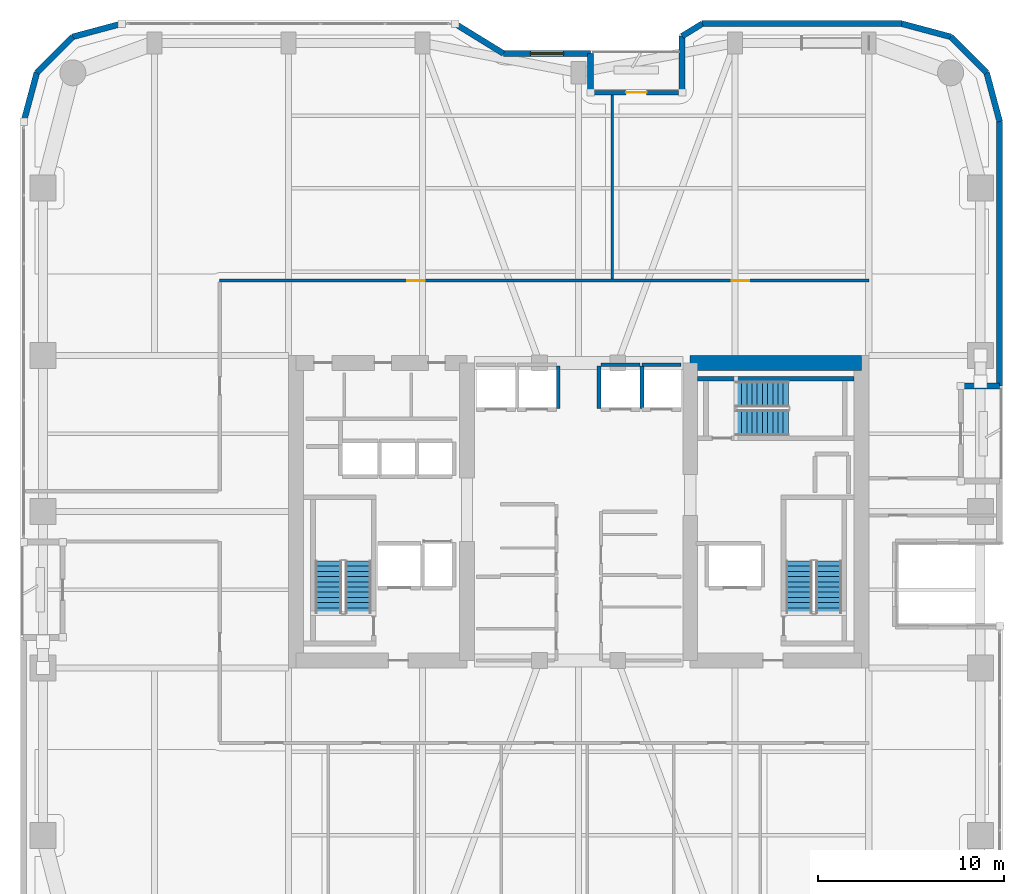
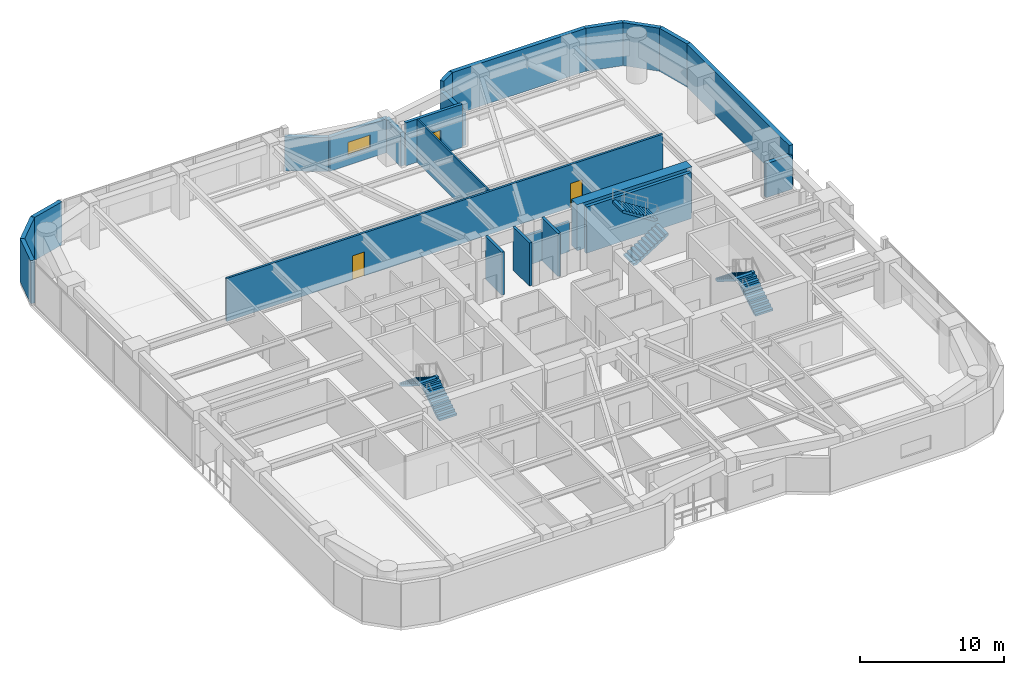
# One storey, part 21 of 24: 24 walls, 6 stair flights, 3 doors, 1 window, 4 openings, 3 elements without a shape of their own.
"""IFC4 building model written with IfcOpenShell, lengths in metres."""

import ifcopenshell
import ifcopenshell.guid

model = None  # the IFC model being written
_history = None  # IfcOwnerHistory: only IFC2X3 demands one
_inside = {}  # id of a spatial element -> (the spatial element, [elements in it])
_under = {}  # id of a project, library or spatial element -> (it, [spatial elements below it])
_declared = {}  # id of a project -> (the project, [libraries it declares])
_typed = {}  # id of a type object -> (the type object, [elements of that type])
_made_of = {}  # id of a material, layer set ... -> (it, [elements and type objects made of it])


def new_model(schema):
    """Start an empty IFC model of exactly this schema.

    Asked for "IFC4X3", IfcOpenShell would pick the latest addendum, in which some entities
    have other attributes; the version numbers below select the first issue.
    IFC2X3 requires an IfcOwnerHistory on every rooted entity: one is made here for all.
    """
    global model, _history
    if schema == "IFC4X3":
        model = ifcopenshell.file(schema_version=(4, 3, 0, 0))
    else:
        model = ifcopenshell.file(schema=schema)
    _inside.clear()
    _under.clear()
    _declared.clear()
    _typed.clear()
    _made_of.clear()
    _history = None
    if model.schema == "IFC2X3":
        org = make("IfcOrganization", Name="unknown")
        user = make(
            "IfcPersonAndOrganization",
            ThePerson=make("IfcPerson", FamilyName="unknown"),
            TheOrganization=org,
        )
        app = make(
            "IfcApplication",
            ApplicationDeveloper=org,
            Version="unknown",
            ApplicationFullName="unknown",
            ApplicationIdentifier="unknown",
        )
        _history = make(
            "IfcOwnerHistory",
            OwningUser=user,
            OwningApplication=app,
            ChangeAction="ADDED",
            CreationDate=0,
        )
    return model


def make(cls, **values):
    """One entity of the class cls with the attributes given. An attribute that is None is left unset."""
    return model.create_entity(
        cls, **{name: value for name, value in values.items() if value is not None}
    )


def rooted(cls, **values):
    """An entity with a GlobalId (a new one), such as an element, a storey or a relation."""
    return make(cls, GlobalId=ifcopenshell.guid.new(), OwnerHistory=_history, **values)


def si_unit(unit_type, name, prefix=None):
    """IfcSIUnit, for example si_unit("LENGTHUNIT", "METRE", prefix="MILLI")."""
    return make("IfcSIUnit", UnitType=unit_type, Prefix=prefix, Name=name)


def assignment(units):
    """IfcUnitAssignment: the units of a project."""
    return None if units is None else make("IfcUnitAssignment", Units=units)


def point(xyz):
    """IfcCartesianPoint."""
    return None if xyz is None else make("IfcCartesianPoint", Coordinates=xyz)


def direction(xyz):
    """IfcDirection."""
    return None if xyz is None else make("IfcDirection", DirectionRatios=xyz)


def frame(location, z_axis=None, x_axis=None):
    """IfcAxis2Placement3D, a coordinate frame: its origin and axes. An axis left out is left unset."""
    return make(
        "IfcAxis2Placement3D",
        Location=point(location),
        Axis=direction(z_axis),
        RefDirection=direction(x_axis),
    )


def frame_2d(location, x_axis=None):
    """IfcAxis2Placement2D, a coordinate frame in the plane: its origin and x axis."""
    return make(
        "IfcAxis2Placement2D", Location=point(location), RefDirection=direction(x_axis)
    )


def origin():
    """The frame at (0, 0, 0) with its axes left unset."""
    return frame((0.0, 0.0, 0.0))


def place(relative_to, where):
    """IfcLocalPlacement: puts the frame where relative to a parent placement (None: the world)."""
    return make(
        "IfcLocalPlacement", PlacementRelTo=relative_to, RelativePlacement=where
    )


def context(
    kind, dimensions, precision=None, world=None, true_north=None, identifier=None
):
    """IfcGeometricRepresentationContext, for example the 3D "Model" context."""
    return make(
        "IfcGeometricRepresentationContext",
        ContextIdentifier=identifier,
        ContextType=kind,
        CoordinateSpaceDimension=dimensions,
        Precision=precision,
        WorldCoordinateSystem=world,
        TrueNorth=true_north,
    )


def subcontext(parent, identifier, kind, view, scale=None):
    """IfcGeometricRepresentationSubContext, for example "Body" below "Model"."""
    return make(
        "IfcGeometricRepresentationSubContext",
        ContextIdentifier=identifier,
        ContextType=kind,
        ParentContext=parent,
        TargetScale=scale,
        TargetView=view,
    )


def project(units=None, contexts=None):
    """IfcProject with its units and contexts."""
    return rooted(
        "IfcProject",
        Name="project",
        RepresentationContexts=contexts,
        UnitsInContext=assignment(units),
    )


def spatial(cls, under=None, at=None, **own):
    """A site, building, storey or space (cls), placed at a placement, below another one or the project."""
    s = rooted(cls, ObjectPlacement=at, **own)
    if under is not None:
        _under.setdefault(under.id(), (under, []))[1].append(s)
    return s


def polyline(points):
    """IfcPolyline through the points."""
    return make("IfcPolyline", Points=[point(p) for p in points])


def profile(cls, at=None, kind="AREA", **sizes):
    """A parametric profile (cls). Its sizes go by their IFC names, for example OverallWidth=200.0."""
    return make(cls, ProfileType=kind, Position=at, **sizes)


def rectangle(**sizes):
    """IfcRectangleProfileDef."""
    return profile("IfcRectangleProfileDef", **sizes)


def outline(outer, holes=None, kind="AREA"):
    """IfcArbitraryClosedProfileDef: a profile drawn as a closed curve; with holes, ...WithVoids."""
    if holes is None:
        return make("IfcArbitraryClosedProfileDef", ProfileType=kind, OuterCurve=outer)
    return make(
        "IfcArbitraryProfileDefWithVoids",
        ProfileType=kind,
        OuterCurve=outer,
        InnerCurves=holes,
    )


def extrude(swept, where, along, depth):
    """IfcExtrudedAreaSolid: the profile swept, set in the frame where, extruded along a direction by depth."""
    return make(
        "IfcExtrudedAreaSolid",
        SweptArea=swept,
        Position=where,
        ExtrudedDirection=direction(along),
        Depth=depth,
    )


def shape(context_of_items, identifier, shape_type, items):
    """IfcShapeRepresentation: the items that make up one representation, for example the "Body"."""
    return make(
        "IfcShapeRepresentation",
        ContextOfItems=context_of_items,
        RepresentationIdentifier=identifier,
        RepresentationType=shape_type,
        Items=items,
    )


def material(Name=None, Category=None):
    """IfcMaterial."""
    return make("IfcMaterial", Name=Name, Category=Category)


def layer(
    of_material, thickness, ventilated=None, Name=None, Category=None, Priority=None
):
    """IfcMaterialLayer: one layer of a wall or slab, of a material (None: an air gap)."""
    return make(
        "IfcMaterialLayer",
        Material=of_material,
        LayerThickness=thickness,
        IsVentilated=ventilated,
        Name=Name,
        Category=Category,
        Priority=Priority,
    )


def layer_set(layers, Name=None):
    """IfcMaterialLayerSet."""
    return make("IfcMaterialLayerSet", MaterialLayers=layers, LayerSetName=Name)


def made_of(thing, what):
    """Note that an element or type object is made of a material, layer set ...; save() writes the relation."""
    if what is not None:
        _made_of.setdefault(what.id(), (what, []))[1].append(thing)
    return thing


def type_object(cls, material=None, **own):
    """A type object (cls), such as IfcWallType, which elements share."""
    return made_of(rooted(cls, **own), material)


def element(
    cls,
    number,
    at=None,
    inside=None,
    cuts=None,
    type_object=None,
    material=None,
    context=None,
    identifier="Body",
    shape_type=None,
    held_by="IfcProductDefinitionShape",
    body=None,
    shapes=None,
    **own,
):
    """One element of the class cls, such as IfcWall. Its Tag is "e" and its number.

    at: its placement. inside: the storey or other place that contains it. cuts: it is an
    opening in that element (IfcRelVoidsElement). A single representation is given by context,
    identifier, shape_type and body (its items); several are given by shapes. held_by: the class
    of the entity that holds the representations. save() writes the other relations.
    """
    e = rooted(cls, Tag="e%d" % number, ObjectPlacement=at, **own)
    if body is not None:
        shapes = [shape(context, identifier, shape_type, body)]
    if shapes is not None:
        e.Representation = make(held_by, Representations=shapes)
    if inside is not None:
        _inside.setdefault(inside.id(), (inside, []))[1].append(e)
    if cuts is not None:
        rooted(
            "IfcRelVoidsElement", RelatingBuildingElement=cuts, RelatedOpeningElement=e
        )
    if type_object is not None:
        _typed.setdefault(type_object.id(), (type_object, []))[1].append(e)
    return made_of(e, material)


def fill(opening, filler):
    """IfcRelFillsElement: the door or window that sits in an opening."""
    return rooted(
        "IfcRelFillsElement",
        RelatingOpeningElement=opening,
        RelatedBuildingElement=filler,
    )


def aggregate(whole, parts):
    """IfcRelAggregates: a whole, such as a stair, and the parts it consists of."""
    return rooted("IfcRelAggregates", RelatingObject=whole, RelatedObjects=parts)


def save(model, path):
    """Write the relations noted so far, then the file.

    IfcRelAggregates (storeys below a building ...), IfcRelContainedInSpatialStructure (elements
    in a storey), IfcRelDefinesByType, IfcRelAssociatesMaterial and IfcRelDeclares: one each for
    every whole, place, type object, material and project.
    """
    for whole, parts in _under.values():
        aggregate(whole, parts)
    for where, things in _inside.values():
        rooted(
            "IfcRelContainedInSpatialStructure",
            RelatedElements=things,
            RelatingStructure=where,
        )
    for kind, things in _typed.values():
        rooted("IfcRelDefinesByType", RelatedObjects=things, RelatingType=kind)
    for what, things in _made_of.values():
        rooted("IfcRelAssociatesMaterial", RelatedObjects=things, RelatingMaterial=what)
    for by, libraries in _declared.values():
        rooted("IfcRelDeclares", RelatingContext=by, RelatedDefinitions=libraries)
    model.write(path)


model = new_model("IFC4")

# Units and contexts
model_context = context("Model", 3, precision=1e-05, world=origin(), true_north=direction((0.0, 1.0)))
body_context = subcontext(model_context, "Body", "Model", "MODEL_VIEW")
ifc_project = project(units=[si_unit("LENGTHUNIT", "METRE"), si_unit("AREAUNIT", "SQUARE_METRE"), si_unit("VOLUMEUNIT", "CUBIC_METRE"), si_unit("PLANEANGLEUNIT", "RADIAN"), si_unit("MASSUNIT", "GRAM", prefix="KILO")], contexts=[model_context])

# Site, building, storey
site_placement = place(None, origin())
site = spatial("IfcSite", under=ifc_project, at=site_placement, CompositionType="ELEMENT")
building_placement = place(site_placement, origin())
building = spatial("IfcBuilding", under=site, at=building_placement, Name="Kiyonajd Concourse Tower", CompositionType="ELEMENT")
storey_placement = place(building_placement, frame((0.0, 0.0, 129.89990234375)))
storey = spatial("IfcBuildingStorey", under=building, at=storey_placement, Name="L33", CompositionType="ELEMENT", Elevation=129.89990234375)

# Walls
ifc_material_1 = material(Name="Concrete C70/85", Category="concrete")
ifc_layer_1 = layer(ifc_material_1, 0.800048828125)
ifc_layer_set_1 = layer_set([ifc_layer_1], Name="Concrete C70/85")
wall_type_1 = type_object("IfcWallType", Name="WL-CORE-800", PredefinedType="SHEAR", material=ifc_layer_set_1)
wall_1_placement = place(storey_placement, frame((54.0, 44.0, 0.0), z_axis=(0.0, 0.0, 1.0), x_axis=(1.0, 0.0, 0.0)))
element("IfcWall", 1, at=wall_1_placement, inside=storey, type_object=wall_type_1, Name="L33 East Core North Shear Wall", PredefinedType="SHEAR", context=body_context, shape_type="SweptSolid", body=[
    extrude(rectangle(XDim=9.199951171875, YDim=0.800048828125, at=frame_2d((4.60009765625, 0.0))), origin(), (0.0, 0.0, 1.0), 3.900146484375),
])
ifc_material_2 = material(Name="Precast concrete C50/60", Category="concrete")
ifc_layer_2 = layer(ifc_material_2, 0.320068359375)
ifc_layer_set_2 = layer_set([ifc_layer_2], Name="Precast concrete C50/60")
wall_type_2 = type_object("IfcWallType", Name="WL-EXT-320", PredefinedType="SOLIDWALL", material=ifc_layer_set_2)
wall_2_placement = place(storey_placement, frame((18.159912109375, 56.97900390625, 0.0), z_axis=(0.0, 0.0, 1.0), x_axis=(0.25869736047, 0.965958423373, 0.0)))
element("IfcWall", 2, at=wall_2_placement, inside=storey, type_object=wall_type_2, Name="L33 Exterior Concrete Frame Wall 05", PredefinedType="SOLIDWALL", context=body_context, shape_type="SweptSolid", body=[
    extrude(rectangle(XDim=2.731201171875, YDim=0.320068359375, at=frame_2d((1.36572265625, 0.0))), origin(), (0.0, 0.0, 1.0), 3.64013671875),
])
wall_3_placement = place(storey_placement, frame((18.866455078125, 59.6171875, 0.0), z_axis=(0.0, 0.0, 1.0), x_axis=(0.707106781187, 0.707106781187, 0.0)))
element("IfcWall", 3, at=wall_3_placement, inside=storey, type_object=wall_type_2, Name="L33 Exterior Concrete Frame Wall 06", PredefinedType="SOLIDWALL", context=body_context, shape_type="SweptSolid", body=[
    extrude(rectangle(XDim=2.7099609375, YDim=0.320068359375, at=frame_2d((1.35498046875, 0.0))), origin(), (0.0, 0.0, 1.0), 3.64013671875),
])
wall_4_placement = place(storey_placement, frame((20.78271484375, 61.533447265625, 0.0), z_axis=(0.0, 0.0, 1.0), x_axis=(0.965964405026, 0.25867502435, 0.0)))
element("IfcWall", 4, at=wall_4_placement, inside=storey, type_object=wall_type_2, Name="L33 Exterior Concrete Frame Wall 07", PredefinedType="SOLIDWALL", context=body_context, shape_type="SweptSolid", body=[
    extrude(rectangle(XDim=2.7314453125, YDim=0.320068359375, at=frame_2d((1.36572265625, 0.0))), origin(), (0.0, 0.0, 1.0), 3.64013671875),
])
wall_5_placement = place(storey_placement, frame((41.354736328125, 62.239990234375, 0.0), z_axis=(0.0, 0.0, 1.0), x_axis=(0.851630857047, -0.524142044989, 0.0)))
element("IfcWall", 5, at=wall_5_placement, inside=storey, type_object=wall_type_2, Name="L33 Exterior Concrete Frame Wall 09", PredefinedType="SOLIDWALL", context=body_context, shape_type="SweptSolid", body=[
    extrude(rectangle(XDim=3.052734375, YDim=0.320068359375, at=frame_2d((1.5263671875, 0.0))), origin(), (0.0, 0.0, 1.0), 2.875),
])

# Wall, opening, window
wall_6_placement = place(storey_placement, frame((43.95458984375, 60.639892578125, 0.0), z_axis=(0.0, 0.0, 1.0), x_axis=(1.0, 0.0, 0.0)))
wall_6 = element("IfcWall", 6, at=wall_6_placement, inside=storey, type_object=wall_type_2, Name="L33 Exterior Concrete Frame Wall 10", PredefinedType="SOLIDWALL", context=body_context, shape_type="SweptSolid", body=[
    extrude(rectangle(XDim=4.685302734375, YDim=0.320068359375, at=frame_2d((2.3427734375, 0.0))), origin(), (0.0, 0.0, 1.0), 2.875),
])
opening_1_placement = place(wall_6_placement, frame((1.443115234375, 0.0, 0.85009765625)))
opening_1 = element("IfcOpeningElement", 7, at=opening_1_placement, cuts=wall_6, Name="Opening WN1", PredefinedType="OPENING", context=body_context, shape_type="SweptSolid", body=[
    extrude(rectangle(XDim=1.800048828125, YDim=1.10009765625, at=frame_2d((0.89990234375, 0.550048828125))), frame((0.0, 0.169921875, 0.0), z_axis=(0.0, -1.0, 0.0), x_axis=(1.0, 0.0, 0.0)), (0.0, 0.0, 1.0), 0.340087890625),
])
ifc_material_3 = material(Name="Double Low-E Insulated Glass", Category="glass")
window_type = type_object("IfcWindowType", Name="WN-VIS-1800x1100", PartitioningType="SINGLE_PANEL", PredefinedType="WINDOW", material=ifc_material_3)
window_placement = place(opening_1_placement, origin())
window = element("IfcWindow", 8, at=window_placement, inside=storey, type_object=window_type, Name="L33 Modular Facade Vision Window 10", OverallHeight=1.10009765625, OverallWidth=1.800048828125, PartitioningType="SINGLE_PANEL", PredefinedType="WINDOW", context=body_context, shape_type="SweptSolid", body=[
    extrude(rectangle(XDim=1.800048828125, YDim=1.10009765625, at=frame_2d((0.89990234375, 0.550048828125))), frame((0.0, 0.030029296875, 0.0), z_axis=(0.0, -1.0, 0.0), x_axis=(1.0, 0.0, 0.0)), (0.0, 0.0, 1.0), 0.06005859375),
])
fill(opening_1, window)

# Walls
wall_7_placement = place(storey_placement, frame((48.639892578125, 60.639892578125, 0.0), z_axis=(0.0, 0.0, 1.0), x_axis=(0.0, -1.0, 0.0)))
element("IfcWall", 9, at=wall_7_placement, inside=storey, type_object=wall_type_2, Name="L33 Exterior Concrete Frame Wall 11", PredefinedType="SOLIDWALL", context=body_context, shape_type="SweptSolid", body=[
    extrude(rectangle(XDim=2.099853515625, YDim=0.320068359375, at=frame_2d((1.0498046875, 0.0))), origin(), (0.0, 0.0, 1.0), 2.875),
])
wall_8_placement = place(storey_placement, frame((53.56005859375, 58.5400390625, 0.0), z_axis=(0.0, 0.0, 1.0), x_axis=(0.0, 1.0, 0.0)))
element("IfcWall", 10, at=wall_8_placement, inside=storey, type_object=wall_type_2, Name="L33 Exterior Concrete Frame Wall 13", PredefinedType="SOLIDWALL", context=body_context, shape_type="SweptSolid", body=[
    extrude(rectangle(XDim=3.032470703125, YDim=0.320068359375, at=frame_2d((1.51611328125, 0.0))), origin(), (0.0, 0.0, 1.0), 2.875),
])
wall_9_placement = place(storey_placement, frame((53.56005859375, 61.572509765625, 0.0), z_axis=(0.0, 0.0, 1.0), x_axis=(0.851776724646, 0.523904964045, 0.0)))
element("IfcWall", 11, at=wall_9_placement, inside=storey, type_object=wall_type_2, Name="L33 Exterior Concrete Frame Wall 14", PredefinedType="SOLIDWALL", context=body_context, shape_type="SweptSolid", body=[
    extrude(rectangle(XDim=1.274169921875, YDim=0.320068359375, at=frame_2d((0.63720703125, 0.0))), origin(), (0.0, 0.0, 1.0), 3.64013671875),
])
wall_10_placement = place(storey_placement, frame((54.645263671875, 62.239990234375, 0.0), z_axis=(0.0, 0.0, 1.0), x_axis=(1.0, 0.0, 0.0)))
element("IfcWall", 12, at=wall_10_placement, inside=storey, type_object=wall_type_2, Name="L33 Exterior Concrete Frame Wall 15", PredefinedType="SOLIDWALL", context=body_context, shape_type="SweptSolid", body=[
    extrude(rectangle(XDim=10.733642578125, YDim=0.320068359375, at=frame_2d((5.36669921875, 0.0))), origin(), (0.0, 0.0, 1.0), 3.64013671875),
])
wall_11_placement = place(storey_placement, frame((65.37890625, 62.239990234375, 0.0), z_axis=(0.0, 0.0, 1.0), x_axis=(0.965958423373, -0.25869736047, 0.0)))
element("IfcWall", 13, at=wall_11_placement, inside=storey, type_object=wall_type_2, Name="L33 Exterior Concrete Frame Wall 16", PredefinedType="SOLIDWALL", context=body_context, shape_type="SweptSolid", body=[
    extrude(rectangle(XDim=2.731201171875, YDim=0.320068359375, at=frame_2d((1.36572265625, 0.0))), origin(), (0.0, 0.0, 1.0), 3.64013671875),
])
wall_12_placement = place(storey_placement, frame((68.01708984375, 61.533447265625, 0.0), z_axis=(0.0, 0.0, 1.0), x_axis=(0.707151821269, -0.707061738235, 0.0)))
element("IfcWall", 14, at=wall_12_placement, inside=storey, type_object=wall_type_2, Name="L33 Exterior Concrete Frame Wall 17", PredefinedType="SOLIDWALL", context=body_context, shape_type="SweptSolid", body=[
    extrude(rectangle(XDim=2.710205078125, YDim=0.320068359375, at=frame_2d((1.35498046875, 0.0))), origin(), (0.0, 0.0, 1.0), 3.64013671875),
])
wall_13_placement = place(storey_placement, frame((69.93359375, 59.6171875, 0.0), z_axis=(0.0, 0.0, 1.0), x_axis=(0.258613949072, -0.965980758269, 0.0)))
element("IfcWall", 15, at=wall_13_placement, inside=storey, type_object=wall_type_2, Name="L33 Exterior Concrete Frame Wall 18", PredefinedType="SOLIDWALL", context=body_context, shape_type="SweptSolid", body=[
    extrude(rectangle(XDim=2.731201171875, YDim=0.320068359375, at=frame_2d((1.36572265625, 0.0))), origin(), (0.0, 0.0, 1.0), 3.64013671875),
])
wall_14_placement = place(storey_placement, frame((70.639892578125, 56.97900390625, 0.0), z_axis=(0.0, 0.0, 1.0), x_axis=(0.0, -1.0, 0.0)))
element("IfcWall", 16, at=wall_14_placement, inside=storey, type_object=wall_type_2, Name="L33 Exterior Concrete Frame Wall 19", PredefinedType="SOLIDWALL", context=body_context, shape_type="SweptSolid", body=[
    extrude(rectangle(XDim=14.218994140625, YDim=0.320068359375, at=frame_2d((7.109375, 0.0))), origin(), (0.0, 0.0, 1.0), 3.64013671875),
])
wall_15_placement = place(storey_placement, frame((70.639892578125, 42.760009765625, 0.0), z_axis=(0.0, 0.0, 1.0), x_axis=(-1.0, 0.0, 0.0)))
element("IfcWall", 17, at=wall_15_placement, inside=storey, type_object=wall_type_2, Name="L33 Exterior Concrete Frame Wall 20", PredefinedType="SOLIDWALL", context=body_context, shape_type="SweptSolid", body=[
    extrude(rectangle(XDim=2.099853515625, YDim=0.320068359375, at=frame_2d((1.0498046875, 0.0))), origin(), (0.0, 0.0, 1.0), 2.875),
])

# Wall, opening, door
ifc_layer_3 = layer(ifc_material_2, 0.239990234375)
ifc_layer_set_3 = layer_set([ifc_layer_3], Name="Precast concrete C50/60")
wall_type_3 = type_object("IfcWallType", Name="WL-LOG-240", PredefinedType="SOLIDWALL", material=ifc_layer_set_3)
wall_16_placement = place(storey_placement, frame((48.8349609375, 58.5400390625, 0.0), z_axis=(0.0, 0.0, 1.0), x_axis=(1.0, 0.0, 0.0)))
wall_16 = element("IfcWall", 18, at=wall_16_placement, inside=storey, type_object=wall_type_3, Name="L33 Recessed Loggia Thermal Wall LOG-N", PredefinedType="SOLIDWALL", context=body_context, shape_type="SweptSolid", body=[
    extrude(rectangle(XDim=4.530029296875, YDim=0.239990234375, at=frame_2d((2.26513671875, 0.0))), origin(), (0.0, 0.0, 1.0), 3.64013671875),
])
opening_2_placement = place(wall_16_placement, frame((1.715087890625, 0.0, 0.0)))
opening_2 = element("IfcOpeningElement", 19, at=opening_2_placement, cuts=wall_16, Name="Opening DL2", PredefinedType="OPENING", context=body_context, shape_type="SweptSolid", body=[
    extrude(rectangle(XDim=1.10009765625, YDim=2.0400390625, at=frame_2d((0.550048828125, 1.02001953125))), frame((0.0, 0.1298828125, 0.0), z_axis=(0.0, -1.0, 0.0), x_axis=(1.0, 0.0, 0.0)), (0.0, 0.0, 1.0), 0.260009765625),
])
ifc_material_4 = material(Name="Thermally Broken Anodised Aluminium", Category="aluminium")
door_type_1 = type_object("IfcDoorType", Name="DR-LOG-1100", OperationType="NOTDEFINED", PredefinedType="DOOR", material=ifc_material_4)
door_1_placement = place(opening_2_placement, origin())
door_1 = element("IfcDoor", 20, at=door_1_placement, inside=storey, type_object=door_type_1, Name="L33 Engawa Loggia Access Door LOG-N", OperationType="SINGLE_SWING_RIGHT", OverallHeight=2.0400390625, OverallWidth=1.10009765625, PredefinedType="DOOR", context=body_context, shape_type="SweptSolid", body=[
    extrude(rectangle(XDim=1.10009765625, YDim=2.0400390625, at=frame_2d((0.550048828125, 1.02001953125))), frame((0.0, 0.02490234375, 0.0), z_axis=(0.0, -1.0, 0.0), x_axis=(1.0, 0.0, 0.0)), (0.0, 0.0, 1.0), 0.050048828125),
])
fill(opening_2, door_1)

# Walls
ifc_material_5 = material(Name="Gypsum Board on Cold-Formed Steel Stud", Category="steel")
ifc_layer_4 = layer(ifc_material_5, 0.125)
ifc_layer_set_4 = layer_set([ifc_layer_4], Name="Gypsum Board on Cold-Formed Steel Stud")
wall_type_4 = type_object("IfcWallType", Name="WL-PART-125", PredefinedType="PARTITIONING", material=ifc_layer_set_4)
wall_17_placement = place(storey_placement, frame((49.800048828125, 48.51708984375, 0.0), z_axis=(0.0, 0.0, 1.0), x_axis=(0.0, 1.0, 0.0)))
element("IfcWall", 21, at=wall_17_placement, inside=storey, type_object=wall_type_4, Name="L33 Interior Partition Wall", PredefinedType="PARTITIONING", context=body_context, shape_type="SweptSolid", body=[
    extrude(rectangle(XDim=9.907958984375, YDim=0.125, at=frame_2d((4.9541015625, 0.0))), origin(), (0.0, 0.0, 1.0), 3.64013671875),
])
ifc_layer_5 = layer(ifc_material_5, 0.2099609375)
ifc_layer_set_5 = layer_set([ifc_layer_5], Name="Gypsum Board on Cold-Formed Steel Stud")
wall_type_5 = type_object("IfcWallType", Name="WL-SHAFT-210", PredefinedType="PARTITIONING", material=ifc_layer_set_5)
wall_18_placement = place(storey_placement, frame((46.89990234375, 41.56005859375, 0.0), z_axis=(0.0, 0.0, 1.0), x_axis=(0.0, 1.0, 0.0)))
element("IfcWall", 22, at=wall_18_placement, inside=storey, type_object=wall_type_5, Name="L33 Shaft Enclosure Wall", PredefinedType="PARTITIONING", context=body_context, shape_type="SweptSolid", body=[
    extrude(rectangle(XDim=2.280029296875, YDim=0.2099609375, at=frame_2d((1.14013671875, 0.0))), origin(), (0.0, 0.0, 1.0), 3.64013671875),
])
wall_19_placement = place(storey_placement, frame((49.199951171875, 43.89990234375, 0.0), z_axis=(0.0, 0.0, 1.0), x_axis=(1.0, 0.0, 0.0)))
element("IfcWall", 23, at=wall_19_placement, inside=storey, type_object=wall_type_5, Name="L33 Shaft Enclosure Wall", PredefinedType="PARTITIONING", context=body_context, shape_type="SweptSolid", body=[
    extrude(rectangle(XDim=2.10009765625, YDim=0.2099609375, at=frame_2d((1.050048828125, 0.0))), origin(), (0.0, 0.0, 1.0), 2.525146484375),
])
for number, where, z_axis, x_axis, name in (
    (24, (49.10009765625, 41.56005859375, 0.0), (0.0, 0.0, 1.0), (0.0, 1.0, 0.0), "L33 Shaft Enclosure Wall"),
    (25, (51.39990234375, 41.56005859375, 0.0), (0.0, 0.0, 1.0), (0.0, 1.0, 0.0), "L33 Shaft Enclosure Wall"),
):
    element("IfcWall", number, at=place(storey_placement, frame(where, z_axis=z_axis, x_axis=x_axis)), inside=storey, type_object=wall_type_5, Name=name, PredefinedType="PARTITIONING", context=body_context, shape_type="SweptSolid", body=[
        extrude(rectangle(XDim=2.280029296875, YDim=0.2099609375, at=frame_2d((1.14013671875, 0.0))), origin(), (0.0, 0.0, 1.0), 3.64013671875),
    ])
wall_20_placement = place(storey_placement, frame((51.39990234375, 43.89990234375, 0.0), z_axis=(0.0, 0.0, 1.0), x_axis=(1.0, 0.0, 0.0)))
element("IfcWall", 26, at=wall_20_placement, inside=storey, type_object=wall_type_5, Name="L33 Shaft Enclosure Wall", PredefinedType="PARTITIONING", context=body_context, shape_type="SweptSolid", body=[
    extrude(rectangle(XDim=2.10009765625, YDim=0.2099609375, at=frame_2d((1.050048828125, 0.0))), origin(), (0.0, 0.0, 1.0), 2.525146484375),
])

# Wall, openings, doors
ifc_layer_6 = layer(ifc_material_5, 0.169921875)
ifc_layer_set_6 = layer_set([ifc_layer_6], Name="Gypsum Board on Cold-Formed Steel Stud")
wall_type_6 = type_object("IfcWallType", Name="WL-SMK-170", PredefinedType="PARTITIONING", material=ifc_layer_set_6)
wall_21_placement = place(storey_placement, frame((28.699951171875, 48.429931640625, 0.0), z_axis=(0.0, 0.0, 1.0), x_axis=(1.0, 0.0, 0.0)))
wall_21 = element("IfcWall", 27, at=wall_21_placement, inside=storey, type_object=wall_type_6, Name="L33 Interior Partition Wall", PredefinedType="PARTITIONING", context=body_context, shape_type="SweptSolid", body=[
    extrude(rectangle(XDim=34.900146484375, YDim=0.169921875, at=frame_2d((17.4501953125, 0.0))), origin(), (0.0, 0.0, 1.0), 3.64013671875),
])
opening_3_placement = place(wall_21_placement, frame((10.074951171875, 0.0, 0.0)))
opening_3 = element("IfcOpeningElement", 28, at=opening_3_placement, cuts=wall_21, Name="Opening DI1", PredefinedType="OPENING", context=body_context, shape_type="SweptSolid", body=[
    extrude(rectangle(XDim=0.949951171875, YDim=2.0400390625, at=frame_2d((0.47509765625, 1.02001953125))), frame((0.0, 0.094970703125, 0.0), z_axis=(0.0, -1.0, 0.0), x_axis=(1.0, 0.0, 0.0)), (0.0, 0.0, 1.0), 0.18994140625),
])
opening_4_placement = place(wall_21_placement, frame((27.52490234375, 0.0, 0.0)))
opening_4 = element("IfcOpeningElement", 29, at=opening_4_placement, cuts=wall_21, Name="Opening DI1", PredefinedType="OPENING", context=body_context, shape_type="SweptSolid", body=[
    extrude(rectangle(XDim=0.949951171875, YDim=2.0400390625, at=frame_2d((0.47509765625, 1.02001953125))), frame((0.0, 0.094970703125, 0.0), z_axis=(0.0, -1.0, 0.0), x_axis=(1.0, 0.0, 0.0)), (0.0, 0.0, 1.0), 0.18994140625),
])
ifc_material_6 = material(Name="Natural Oak Acoustic Timber Veneer", Category="wood")
door_type_2 = type_object("IfcDoorType", Name="DR-INT-950", OperationType="NOTDEFINED", PredefinedType="DOOR", material=ifc_material_6)
door_2_placement = place(opening_3_placement, origin())
door_2 = element("IfcDoor", 30, at=door_2_placement, inside=storey, type_object=door_type_2, Name="L33 Interior Door", OperationType="SINGLE_SWING_RIGHT", OverallHeight=2.0400390625, OverallWidth=0.949951171875, PredefinedType="DOOR", context=body_context, shape_type="SweptSolid", body=[
    extrude(rectangle(XDim=0.949951171875, YDim=2.0400390625, at=frame_2d((0.47509765625, 1.02001953125))), frame((0.0, 0.02490234375, 0.0), z_axis=(0.0, -1.0, 0.0), x_axis=(1.0, 0.0, 0.0)), (0.0, 0.0, 1.0), 0.050048828125),
])
fill(opening_3, door_2)
door_3_placement = place(opening_4_placement, origin())
door_3 = element("IfcDoor", 31, at=door_3_placement, inside=storey, type_object=door_type_2, Name="L33 Interior Door", OperationType="SINGLE_SWING_LEFT", OverallHeight=2.0400390625, OverallWidth=0.949951171875, PredefinedType="DOOR", context=body_context, shape_type="SweptSolid", body=[
    extrude(rectangle(XDim=0.949951171875, YDim=2.0400390625, at=frame_2d((0.47509765625, 1.02001953125))), frame((0.0, 0.02490234375, 0.0), z_axis=(0.0, -1.0, 0.0), x_axis=(1.0, 0.0, 0.0)), (0.0, 0.0, 1.0), 0.050048828125),
])
fill(opening_4, door_3)

# Wall
ifc_material_7 = material(Name="Concrete C50/60", Category="concrete")
ifc_layer_7 = layer(ifc_material_7, 0.260009765625)
ifc_layer_set_7 = layer_set([ifc_layer_7], Name="Concrete C50/60")
wall_type_7 = type_object("IfcWallType", Name="WL-STAIR-260", PredefinedType="SHEAR", material=ifc_layer_set_7)
wall_22_placement = place(storey_placement, frame((54.39990234375, 43.14990234375, 0.0), z_axis=(0.0, 0.0, 1.0), x_axis=(1.0, 0.0, 0.0)))
element("IfcWall", 32, at=wall_22_placement, inside=storey, type_object=wall_type_7, Name="L33 Stair ST3 Structural North Wall", PredefinedType="SHEAR", context=body_context, shape_type="SweptSolid", body=[
    extrude(rectangle(XDim=8.400146484375, YDim=0.260009765625, at=frame_2d((4.2001953125, 0.0))), origin(), (0.0, 0.0, 1.0), 3.900146484375),
])

# Stair, stair flights
ifc_material_8 = material(Name="Concrete C40/50", Category="concrete")
stair_type = type_object("IfcStairType", Name="ST-DLG-22R", PredefinedType="HALF_TURN_STAIR", material=ifc_material_8)
stair_1_placement = place(storey_placement, origin())
stair_1 = element("IfcStair", 33, at=stair_1_placement, inside=storey, type_object=stair_type, Name="L33 Protected Exit Stair ST1", PredefinedType="HALF_TURN_STAIR")
stair_flight_type = type_object("IfcStairFlightType", Name="SF-STR-22R", PredefinedType="STRAIGHT", material=ifc_material_8)
stair_flight_1_placement = place(storey_placement, frame((36.14990234375, 30.550048828125, 0.0), z_axis=(0.0, 0.0, 1.0), x_axis=(0.0, 1.0, 0.0)))
stair_flight_1 = element("IfcStairFlight", 34, at=stair_flight_1_placement, type_object=stair_flight_type, Name="ST1 flight 1", NumberOfRisers=11, NumberOfTreads=10, PredefinedType="STRAIGHT", RiserHeight=0.177272727, TreadLength=0.28, context=body_context, shape_type="SweptSolid", body=[
    extrude(outline(polyline([(0.0, 0.0), (0.0, 0.17724609375), (0.280029296875, 0.17724609375), (0.280029296875, 0.3544921875), (0.56005859375, 0.3544921875), (0.56005859375, 0.53173828125), (0.840087890625, 0.53173828125), (0.840087890625, 0.708984375), (1.1201171875, 0.708984375), (1.1201171875, 0.886474609375), (1.39990234375, 0.886474609375), (1.39990234375, 1.063720703125), (1.679931640625, 1.063720703125), (1.679931640625, 1.240966796875), (1.9599609375, 1.240966796875), (1.9599609375, 1.418212890625), (2.239990234375, 1.418212890625), (2.239990234375, 1.595458984375), (2.52001953125, 1.595458984375), (2.52001953125, 1.772705078125), (2.800048828125, 1.772705078125), (2.800048828125, 1.949951171875), (2.800048828125, 1.59521484375), (0.2802734375, 0.0), (0.0, 0.0)])), frame((0.0, 0.699951171875, 0.0), z_axis=(0.0, -1.0, 0.0), x_axis=(1.0, 0.0, 0.0)), (0.0, 0.0, 1.0), 1.39990234375),
])
stair_flight_2_placement = place(storey_placement, frame((34.550048828125, 33.35009765625, 1.9501953125), z_axis=(0.0, 0.0, 1.0), x_axis=(0.0, -1.0, 0.0)))
stair_flight_2 = element("IfcStairFlight", 35, at=stair_flight_2_placement, type_object=stair_flight_type, Name="ST1 flight 2", NumberOfRisers=11, NumberOfTreads=10, PredefinedType="STRAIGHT", RiserHeight=0.177272727, TreadLength=0.28, context=body_context, shape_type="SweptSolid", body=[
    extrude(outline(polyline([(0.0, 0.0), (0.0, 0.17724609375), (0.280029296875, 0.17724609375), (0.280029296875, 0.3544921875), (0.56005859375, 0.3544921875), (0.56005859375, 0.53173828125), (0.840087890625, 0.53173828125), (0.840087890625, 0.708984375), (1.1201171875, 0.708984375), (1.1201171875, 0.886474609375), (1.39990234375, 0.886474609375), (1.39990234375, 1.063720703125), (1.679931640625, 1.063720703125), (1.679931640625, 1.240966796875), (1.9599609375, 1.240966796875), (1.9599609375, 1.418212890625), (2.239990234375, 1.418212890625), (2.239990234375, 1.595458984375), (2.52001953125, 1.595458984375), (2.52001953125, 1.772705078125), (2.800048828125, 1.772705078125), (2.800048828125, 1.949951171875), (2.800048828125, 1.59521484375), (0.2802734375, 0.0), (0.0, 0.0)])), frame((0.0, 0.699951171875, 0.0), z_axis=(0.0, -1.0, 0.0), x_axis=(1.0, 0.0, 0.0)), (0.0, 0.0, 1.0), 1.39990234375),
])
aggregate(stair_1, [stair_flight_1, stair_flight_2])

stair_2_placement = place(storey_placement, origin())
stair_2 = element("IfcStair", 36, at=stair_2_placement, inside=storey, type_object=stair_type, Name="L33 Protected Exit Stair ST2", PredefinedType="HALF_TURN_STAIR")
stair_flight_3_placement = place(storey_placement, frame((61.449951171875, 30.550048828125, 0.0), z_axis=(0.0, 0.0, 1.0), x_axis=(0.0, 1.0, 0.0)))
stair_flight_3 = element("IfcStairFlight", 37, at=stair_flight_3_placement, type_object=stair_flight_type, Name="ST2 flight 1", NumberOfRisers=11, NumberOfTreads=10, PredefinedType="STRAIGHT", RiserHeight=0.177272727, TreadLength=0.28, context=body_context, shape_type="SweptSolid", body=[
    extrude(outline(polyline([(0.0, 0.0), (0.0, 0.17724609375), (0.280029296875, 0.17724609375), (0.280029296875, 0.3544921875), (0.56005859375, 0.3544921875), (0.56005859375, 0.53173828125), (0.840087890625, 0.53173828125), (0.840087890625, 0.708984375), (1.1201171875, 0.708984375), (1.1201171875, 0.886474609375), (1.39990234375, 0.886474609375), (1.39990234375, 1.063720703125), (1.679931640625, 1.063720703125), (1.679931640625, 1.240966796875), (1.9599609375, 1.240966796875), (1.9599609375, 1.418212890625), (2.239990234375, 1.418212890625), (2.239990234375, 1.595458984375), (2.52001953125, 1.595458984375), (2.52001953125, 1.772705078125), (2.800048828125, 1.772705078125), (2.800048828125, 1.949951171875), (2.800048828125, 1.59521484375), (0.2802734375, 0.0), (0.0, 0.0)])), frame((0.0, 0.699951171875, 0.0), z_axis=(0.0, -1.0, 0.0), x_axis=(1.0, 0.0, 0.0)), (0.0, 0.0, 1.0), 1.39990234375),
])
stair_flight_4_placement = place(storey_placement, frame((59.85009765625, 33.35009765625, 1.9501953125), z_axis=(0.0, 0.0, 1.0), x_axis=(0.0, -1.0, 0.0)))
stair_flight_4 = element("IfcStairFlight", 38, at=stair_flight_4_placement, type_object=stair_flight_type, Name="ST2 flight 2", NumberOfRisers=11, NumberOfTreads=10, PredefinedType="STRAIGHT", RiserHeight=0.177272727, TreadLength=0.28, context=body_context, shape_type="SweptSolid", body=[
    extrude(outline(polyline([(0.0, 0.0), (0.0, 0.17724609375), (0.280029296875, 0.17724609375), (0.280029296875, 0.3544921875), (0.56005859375, 0.3544921875), (0.56005859375, 0.53173828125), (0.840087890625, 0.53173828125), (0.840087890625, 0.708984375), (1.1201171875, 0.708984375), (1.1201171875, 0.886474609375), (1.39990234375, 0.886474609375), (1.39990234375, 1.063720703125), (1.679931640625, 1.063720703125), (1.679931640625, 1.240966796875), (1.9599609375, 1.240966796875), (1.9599609375, 1.418212890625), (2.239990234375, 1.418212890625), (2.239990234375, 1.595458984375), (2.52001953125, 1.595458984375), (2.52001953125, 1.772705078125), (2.800048828125, 1.772705078125), (2.800048828125, 1.949951171875), (2.800048828125, 1.59521484375), (0.2802734375, 0.0), (0.0, 0.0)])), frame((0.0, 0.699951171875, 0.0), z_axis=(0.0, -1.0, 0.0), x_axis=(1.0, 0.0, 0.0)), (0.0, 0.0, 1.0), 1.39990234375),
])
aggregate(stair_2, [stair_flight_3, stair_flight_4])

stair_3_placement = place(storey_placement, origin())
stair_3 = element("IfcStair", 39, at=stair_3_placement, inside=storey, type_object=stair_type, Name="L33 Protected Exit Stair ST3", PredefinedType="HALF_TURN_STAIR")
stair_flight_5_placement = place(storey_placement, frame((56.47998046875, 40.780029296875, 0.0), z_axis=(0.0, 0.0, 1.0), x_axis=(1.0, 0.0, 0.0)))
stair_flight_5 = element("IfcStairFlight", 40, at=stair_flight_5_placement, type_object=stair_flight_type, Name="ST3 flight 1", NumberOfRisers=11, NumberOfTreads=10, PredefinedType="STRAIGHT", RiserHeight=0.177272727, TreadLength=0.28, context=body_context, shape_type="SweptSolid", body=[
    extrude(outline(polyline([(0.0, 0.0), (0.0, 0.17724609375), (0.280029296875, 0.17724609375), (0.280029296875, 0.3544921875), (0.56005859375, 0.3544921875), (0.56005859375, 0.53173828125), (0.840087890625, 0.53173828125), (0.840087890625, 0.708984375), (1.1201171875, 0.708984375), (1.1201171875, 0.886474609375), (1.39990234375, 0.886474609375), (1.39990234375, 1.063720703125), (1.679931640625, 1.063720703125), (1.679931640625, 1.240966796875), (1.9599609375, 1.240966796875), (1.9599609375, 1.418212890625), (2.239990234375, 1.418212890625), (2.239990234375, 1.595458984375), (2.52001953125, 1.595458984375), (2.52001953125, 1.772705078125), (2.800048828125, 1.772705078125), (2.800048828125, 1.949951171875), (2.800048828125, 1.59521484375), (0.2802734375, 0.0), (0.0, 0.0)])), frame((0.0, 0.699951171875, 0.0), z_axis=(0.0, -1.0, 0.0), x_axis=(1.0, 0.0, 0.0)), (0.0, 0.0, 1.0), 1.39990234375),
])
stair_flight_6_placement = place(storey_placement, frame((59.280029296875, 42.320068359375, 1.9501953125), z_axis=(0.0, 0.0, 1.0), x_axis=(-1.0, 0.0, 0.0)))
stair_flight_6 = element("IfcStairFlight", 41, at=stair_flight_6_placement, type_object=stair_flight_type, Name="ST3 flight 2", NumberOfRisers=11, NumberOfTreads=10, PredefinedType="STRAIGHT", RiserHeight=0.177272727, TreadLength=0.28, context=body_context, shape_type="SweptSolid", body=[
    extrude(outline(polyline([(0.0, 0.0), (0.0, 0.17724609375), (0.280029296875, 0.17724609375), (0.280029296875, 0.3544921875), (0.56005859375, 0.3544921875), (0.56005859375, 0.53173828125), (0.840087890625, 0.53173828125), (0.840087890625, 0.708984375), (1.1201171875, 0.708984375), (1.1201171875, 0.886474609375), (1.39990234375, 0.886474609375), (1.39990234375, 1.063720703125), (1.679931640625, 1.063720703125), (1.679931640625, 1.240966796875), (1.9599609375, 1.240966796875), (1.9599609375, 1.418212890625), (2.239990234375, 1.418212890625), (2.239990234375, 1.595458984375), (2.52001953125, 1.595458984375), (2.52001953125, 1.772705078125), (2.800048828125, 1.772705078125), (2.800048828125, 1.949951171875), (2.800048828125, 1.59521484375), (0.2802734375, 0.0), (0.0, 0.0)])), frame((0.0, 0.699951171875, 0.0), z_axis=(0.0, -1.0, 0.0), x_axis=(1.0, 0.0, 0.0)), (0.0, 0.0, 1.0), 1.39990234375),
])
aggregate(stair_3, [stair_flight_5, stair_flight_6])

save(model, "model.ifc")
